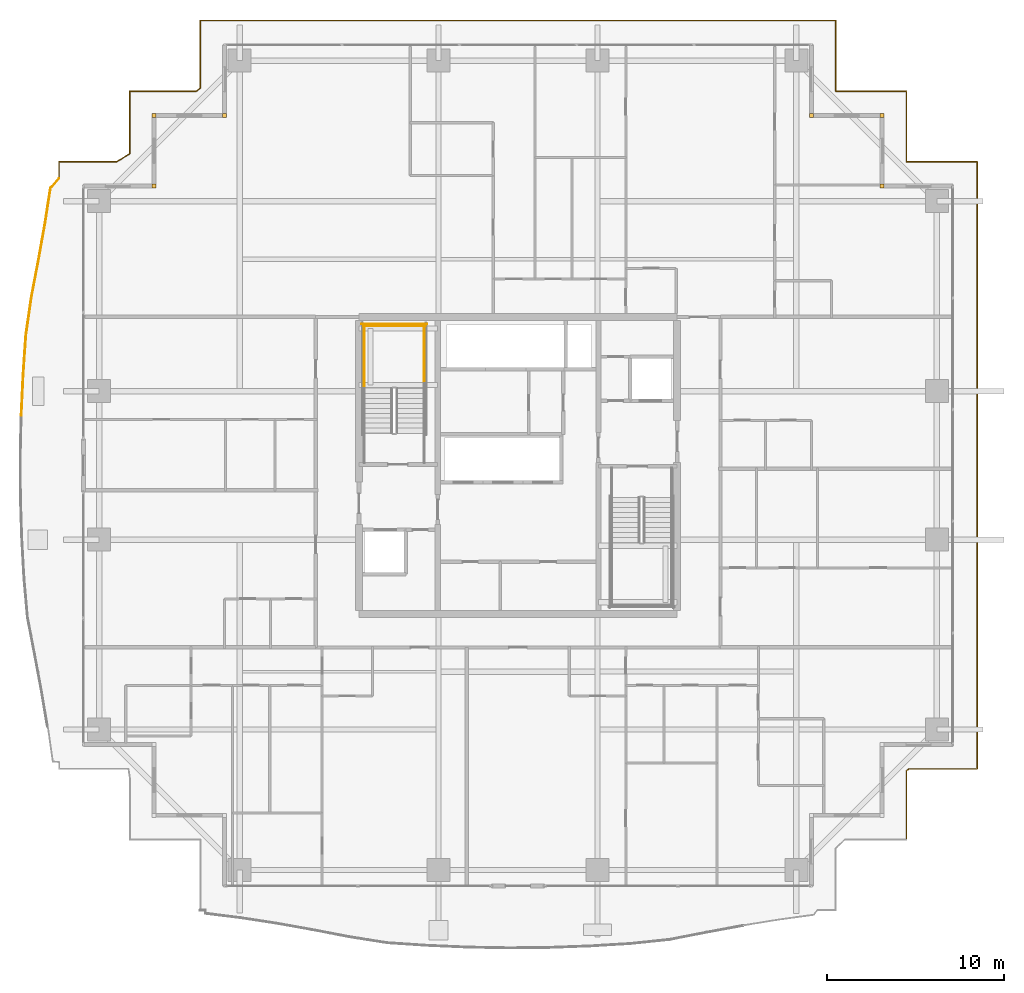
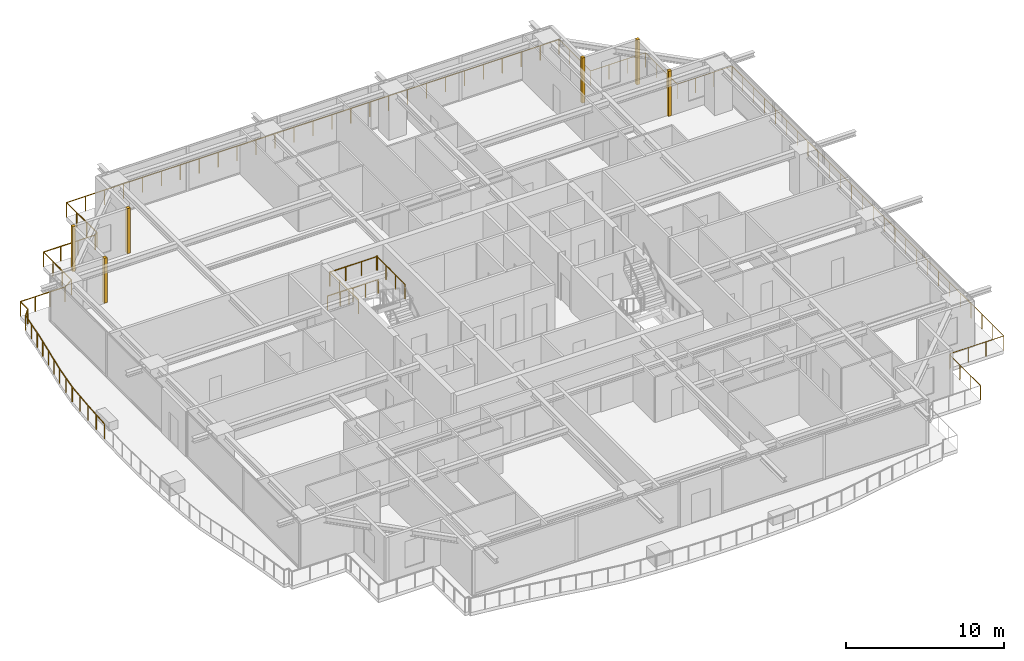
# One storey, part 34 of 34: 7 railings, 6 coverings.
"""IFC4 building model written with IfcOpenShell, lengths in metres."""

from ifc_helpers import new_model, si_unit, direction, frame, origin, origin_2d, place, context, subcontext, project, spatial, rectangle, circle, extrude, source, transform, mapped, material, layer, layer_set, type_object, element, save


model = new_model("IFC4")

# Units and contexts
model_context = context("Model", 3, precision=1e-05, world=origin(), true_north=direction((0.0, 1.0)))
body_context = subcontext(model_context, "Body", "Model", "MODEL_VIEW")
ifc_project = project(units=[si_unit("LENGTHUNIT", "METRE"), si_unit("AREAUNIT", "SQUARE_METRE"), si_unit("VOLUMEUNIT", "CUBIC_METRE"), si_unit("PLANEANGLEUNIT", "RADIAN"), si_unit("MASSUNIT", "GRAM", prefix="KILO")], contexts=[model_context])

# Site, building, storey
site_placement = place(None, origin())
site = spatial("IfcSite", under=ifc_project, at=site_placement, CompositionType="ELEMENT")
building_placement = place(site_placement, origin())
building = spatial("IfcBuilding", under=site, at=building_placement, Name="Serunith Strait Residences", CompositionType="ELEMENT")
storey_placement = place(building_placement, frame((0.0, 0.0, 142.64990234375)))
storey = spatial("IfcBuildingStorey", under=building, at=storey_placement, Name="L35", CompositionType="ELEMENT", Elevation=142.64990234375)

# Railings
ifc_material_1 = material(Name="Stainless Steel & Laminated Glass Balustrade", Category="steel")
railing_type_1 = type_object("IfcRailingType", Name="RLG-BALC-1150", PredefinedType="BALUSTRADE", material=ifc_material_1)
railing_1_placement = place(storey_placement, frame((4.2919921875, 28.03759765625, -0.0498046875)))
element("IfcRailing", 1, at=railing_1_placement, inside=storey, type_object=railing_type_1, Name="L35 Swirling Balcony Perimeter Balustrade 3", PredefinedType="BALUSTRADE", context=body_context, shape_type="SweptSolid", body=[
    extrude(circle(Radius=0.02392578125, at=origin_2d()), frame((0.0, 0.001953125, 1.1259765625), z_axis=(0.046865195781, 0.998901223057, 0.0), x_axis=(-0.998901223057, 0.046865195781, 0.0)), (0.0, 0.0, 1.0), 2.282958984375),
    extrude(circle(Radius=0.02392578125, at=origin_2d()), frame((0.107421875, 2.286376953125, 1.1259765625), z_axis=(0.068053212053, 0.997681692891, 0.0), x_axis=(-0.997681692891, 0.068053212053, 0.0)), (0.0, 0.0, 1.0), 2.256103515625),
    extrude(circle(Radius=0.02392578125, at=origin_2d()), frame((0.26123046875, 4.541259765625, 1.1259765625), z_axis=(0.143397514543, 0.989665172077, 0.0), x_axis=(-0.989665172077, 0.143397514543, 0.0)), (0.0, 0.0, 1.0), 2.1923828125),
    extrude(circle(Radius=0.02392578125, at=origin_2d()), frame((0.576416015625, 6.71484375, 1.1259765625), z_axis=(0.188438007148, 0.982085086671, 0.0), x_axis=(-0.982085086671, 0.188438007148, 0.0)), (0.0, 0.0, 1.0), 2.119384765625),
    extrude(circle(Radius=0.02392578125, at=origin_2d()), frame((0.976318359375, 8.80029296875, 1.1259765625), z_axis=(0.17582328952, 0.984421744408, 0.0), x_axis=(-0.984421744408, 0.17582328952, 0.0)), (0.0, 0.0, 1.0), 2.06640625),
    extrude(circle(Radius=0.02392578125, at=origin_2d()), frame((1.34033203125, 10.83837890625, 1.1259765625), z_axis=(0.153428284031, 0.98815978549, 0.0), x_axis=(-0.98815978549, 0.153428284031, 0.0)), (0.0, 0.0, 1.0), 2.029541015625),
    extrude(circle(Radius=0.02392578125, at=origin_2d()), frame((1.6533203125, 12.847412109375, 1.1259765625), z_axis=(0.649610297374, 0.760267361883, 0.0), x_axis=(-0.760267361883, 0.649610297374, 0.0)), (0.0, 0.0, 1.0), 0.728515625),
    extrude(circle(Radius=0.02099609375, at=origin_2d()), origin(), (0.0, 0.0, 1.0), 1.099853515625),
    extrude(circle(Radius=0.02099609375, at=origin_2d()), frame((0.0537109375, 1.14208984375, 0.0)), (0.0, 0.0, 1.0), 1.099853515625),
    extrude(circle(Radius=0.02099609375, at=origin_2d()), frame((0.107177734375, 2.284423828125, 0.0)), (0.0, 0.0, 1.0), 1.099853515625),
    extrude(circle(Radius=0.02099609375, at=origin_2d()), frame((0.18408203125, 3.411865234375, 0.0)), (0.0, 0.0, 1.0), 1.099853515625),
    extrude(circle(Radius=0.02099609375, at=origin_2d()), frame((0.260986328125, 4.539306640625, 0.0)), (0.0, 0.0, 1.0), 1.099853515625),
    extrude(circle(Radius=0.02099609375, at=origin_2d()), frame((0.41845703125, 5.6259765625, 0.0)), (0.0, 0.0, 1.0), 1.099853515625),
    extrude(circle(Radius=0.02099609375, at=origin_2d()), frame((0.575927734375, 6.712890625, 0.0)), (0.0, 0.0, 1.0), 1.099853515625),
    extrude(circle(Radius=0.02099609375, at=origin_2d()), frame((0.77587890625, 7.755615234375, 0.0)), (0.0, 0.0, 1.0), 1.099853515625),
    extrude(circle(Radius=0.02099609375, at=origin_2d()), frame((0.97607421875, 8.79833984375, 0.0)), (0.0, 0.0, 1.0), 1.099853515625),
    extrude(circle(Radius=0.02099609375, at=origin_2d()), frame((1.158203125, 9.8173828125, 0.0)), (0.0, 0.0, 1.0), 1.099853515625),
    extrude(circle(Radius=0.02099609375, at=origin_2d()), frame((1.340087890625, 10.83642578125, 0.0)), (0.0, 0.0, 1.0), 1.099853515625),
    extrude(circle(Radius=0.02099609375, at=origin_2d()), frame((1.49609375, 11.84130859375, 0.0)), (0.0, 0.0, 1.0), 1.099853515625),
    extrude(circle(Radius=0.02099609375, at=origin_2d()), frame((1.652099609375, 12.845947265625, 0.0)), (0.0, 0.0, 1.0), 1.099853515625),
    extrude(circle(Radius=0.02099609375, at=origin_2d()), frame((2.1279296875, 13.40283203125, 0.0)), (0.0, 0.0, 1.0), 1.099853515625),
])
railing_2_placement = place(storey_placement, frame((6.419921875, 41.4404296875, -0.0498046875)))
element("IfcRailing", 2, at=railing_2_placement, inside=storey, type_object=railing_type_1, Name="L35 Swirling Balcony Perimeter Balustrade 4", PredefinedType="BALUSTRADE", context=body_context, shape_type="SweptSolid", body=[
    extrude(circle(Radius=0.02392578125, at=origin_2d()), frame((0.0, 0.001953125, 1.1259765625), z_axis=(0.0, 1.0, 0.0), x_axis=(-1.0, 0.0, 0.0)), (0.0, 0.0, 1.0), 0.935546875),
    extrude(circle(Radius=0.02392578125, at=origin_2d()), frame((0.001953125, 0.939453125, 1.1259765625), z_axis=(1.0, 0.0, 0.0), x_axis=(0.0, 1.0, 0.0)), (0.0, 0.0, 1.0), 3.2509765625),
    extrude(circle(Radius=0.02392578125, at=origin_2d()), frame((3.256591796875, 0.9404296875, 1.1259765625), z_axis=(0.858385025727, 0.513005991785, 0.0), x_axis=(-0.513005991785, 0.858385025727, 0.0)), (0.0, 0.0, 1.0), 0.864013671875),
    extrude(circle(Radius=0.02392578125, at=origin_2d()), frame((4.0, 1.38671875, 1.1259765625), z_axis=(0.0, 1.0, 0.0), x_axis=(-1.0, 0.0, 0.0)), (0.0, 0.0, 1.0), 3.55078125),
    extrude(circle(Radius=0.02392578125, at=origin_2d()), frame((4.001953125, 4.939453125, 1.1259765625), z_axis=(1.0, 0.0, 0.0), x_axis=(0.0, 1.0, 0.0)), (0.0, 0.0, 1.0), 3.7744140625),
    extrude(circle(Radius=0.02392578125, at=origin_2d()), frame((7.77978515625, 4.940673828125, 1.1259765625), z_axis=(0.777683480837, 0.628656029664, 0.0), x_axis=(-0.628656029664, 0.777683480837, 0.0)), (0.0, 0.0, 1.0), 0.281005859375),
    extrude(circle(Radius=0.02392578125, at=origin_2d()), frame((8.0, 5.12060546875, 1.1259765625), z_axis=(0.0, 1.0, 0.0), x_axis=(-1.0, 0.0, 0.0)), (0.0, 0.0, 1.0), 3.81689453125),
    extrude(circle(Radius=0.02392578125, at=origin_2d()), frame((8.001953125, 8.939453125, 1.1259765625), z_axis=(1.0, 0.0, 0.0), x_axis=(0.0, 1.0, 0.0)), (0.0, 0.0, 1.0), 35.9560546875),
    extrude(circle(Radius=0.02099609375, at=origin_2d()), origin(), (0.0, 0.0, 1.0), 1.099853515625),
    extrude(circle(Radius=0.02099609375, at=origin_2d()), frame((0.0, 0.939453125, 0.0)), (0.0, 0.0, 1.0), 1.099853515625),
    extrude(circle(Radius=0.02099609375, at=origin_2d()), frame((1.0849609375, 0.939453125, 0.0)), (0.0, 0.0, 1.0), 1.099853515625),
    extrude(circle(Radius=0.02099609375, at=origin_2d()), frame((2.169921875, 0.939453125, 0.0)), (0.0, 0.0, 1.0), 1.099853515625),
    extrude(circle(Radius=0.02099609375, at=origin_2d()), frame((3.2548828125, 0.939453125, 0.0)), (0.0, 0.0, 1.0), 1.099853515625),
    extrude(circle(Radius=0.02099609375, at=origin_2d()), frame((4.0, 1.384765625, 0.0)), (0.0, 0.0, 1.0), 1.099853515625),
    extrude(circle(Radius=0.02099609375, at=origin_2d()), frame((4.0, 2.569580078125, 0.0)), (0.0, 0.0, 1.0), 1.099853515625),
    extrude(circle(Radius=0.02099609375, at=origin_2d()), frame((4.0, 3.754638671875, 0.0)), (0.0, 0.0, 1.0), 1.099853515625),
    extrude(circle(Radius=0.02099609375, at=origin_2d()), frame((4.0, 4.939453125, 0.0)), (0.0, 0.0, 1.0), 1.099853515625),
    extrude(circle(Radius=0.02099609375, at=origin_2d()), frame((5.259521484375, 4.939453125, 0.0)), (0.0, 0.0, 1.0), 1.099853515625),
    extrude(circle(Radius=0.02099609375, at=origin_2d()), frame((6.518798828125, 4.939453125, 0.0)), (0.0, 0.0, 1.0), 1.099853515625),
    extrude(circle(Radius=0.02099609375, at=origin_2d()), frame((7.7783203125, 4.939453125, 0.0)), (0.0, 0.0, 1.0), 1.099853515625),
    extrude(circle(Radius=0.02099609375, at=origin_2d()), frame((8.0, 5.11865234375, 0.0)), (0.0, 0.0, 1.0), 1.099853515625),
    extrude(circle(Radius=0.02099609375, at=origin_2d()), frame((8.0, 6.392333984375, 0.0)), (0.0, 0.0, 1.0), 1.099853515625),
    extrude(circle(Radius=0.02099609375, at=origin_2d()), frame((8.0, 7.665771484375, 0.0)), (0.0, 0.0, 1.0), 1.099853515625),
    extrude(circle(Radius=0.02099609375, at=origin_2d()), frame((8.0, 8.939453125, 0.0)), (0.0, 0.0, 1.0), 1.099853515625),
    extrude(circle(Radius=0.02099609375, at=origin_2d()), frame((9.383056640625, 8.939453125, 0.0)), (0.0, 0.0, 1.0), 1.099853515625),
    extrude(circle(Radius=0.02099609375, at=origin_2d()), frame((10.76611328125, 8.939453125, 0.0)), (0.0, 0.0, 1.0), 1.099853515625),
    extrude(circle(Radius=0.02099609375, at=origin_2d()), frame((12.149169921875, 8.939453125, 0.0)), (0.0, 0.0, 1.0), 1.099853515625),
    extrude(circle(Radius=0.02099609375, at=origin_2d()), frame((13.5322265625, 8.939453125, 0.0)), (0.0, 0.0, 1.0), 1.099853515625),
    extrude(circle(Radius=0.02099609375, at=origin_2d()), frame((14.915283203125, 8.939453125, 0.0)), (0.0, 0.0, 1.0), 1.099853515625),
    extrude(circle(Radius=0.02099609375, at=origin_2d()), frame((16.29833984375, 8.939453125, 0.0)), (0.0, 0.0, 1.0), 1.099853515625),
    extrude(circle(Radius=0.02099609375, at=origin_2d()), frame((17.681640625, 8.939453125, 0.0)), (0.0, 0.0, 1.0), 1.099853515625),
    extrude(circle(Radius=0.02099609375, at=origin_2d()), frame((19.064697265625, 8.939453125, 0.0)), (0.0, 0.0, 1.0), 1.099853515625),
    extrude(circle(Radius=0.02099609375, at=origin_2d()), frame((20.44775390625, 8.939453125, 0.0)), (0.0, 0.0, 1.0), 1.099853515625),
    extrude(circle(Radius=0.02099609375, at=origin_2d()), frame((21.830810546875, 8.939453125, 0.0)), (0.0, 0.0, 1.0), 1.099853515625),
    extrude(circle(Radius=0.02099609375, at=origin_2d()), frame((23.2138671875, 8.939453125, 0.0)), (0.0, 0.0, 1.0), 1.099853515625),
    extrude(circle(Radius=0.02099609375, at=origin_2d()), frame((24.596923828125, 8.939453125, 0.0)), (0.0, 0.0, 1.0), 1.099853515625),
    extrude(circle(Radius=0.02099609375, at=origin_2d()), frame((25.97998046875, 8.939453125, 0.0)), (0.0, 0.0, 1.0), 1.099853515625),
    extrude(circle(Radius=0.02099609375, at=origin_2d()), frame((27.363037109375, 8.939453125, 0.0)), (0.0, 0.0, 1.0), 1.099853515625),
    extrude(circle(Radius=0.02099609375, at=origin_2d()), frame((28.74609375, 8.939453125, 0.0)), (0.0, 0.0, 1.0), 1.099853515625),
    extrude(circle(Radius=0.02099609375, at=origin_2d()), frame((30.129150390625, 8.939453125, 0.0)), (0.0, 0.0, 1.0), 1.099853515625),
    extrude(circle(Radius=0.02099609375, at=origin_2d()), frame((31.51220703125, 8.939453125, 0.0)), (0.0, 0.0, 1.0), 1.099853515625),
    extrude(circle(Radius=0.02099609375, at=origin_2d()), frame((32.895263671875, 8.939453125, 0.0)), (0.0, 0.0, 1.0), 1.099853515625),
    extrude(circle(Radius=0.02099609375, at=origin_2d()), frame((34.2783203125, 8.939453125, 0.0)), (0.0, 0.0, 1.0), 1.099853515625),
    extrude(circle(Radius=0.02099609375, at=origin_2d()), frame((35.66162109375, 8.939453125, 0.0)), (0.0, 0.0, 1.0), 1.099853515625),
    extrude(circle(Radius=0.02099609375, at=origin_2d()), frame((37.044677734375, 8.939453125, 0.0)), (0.0, 0.0, 1.0), 1.099853515625),
    extrude(circle(Radius=0.02099609375, at=origin_2d()), frame((38.427734375, 8.939453125, 0.0)), (0.0, 0.0, 1.0), 1.099853515625),
    extrude(circle(Radius=0.02099609375, at=origin_2d()), frame((39.810791015625, 8.939453125, 0.0)), (0.0, 0.0, 1.0), 1.099853515625),
    extrude(circle(Radius=0.02099609375, at=origin_2d()), frame((41.19384765625, 8.939453125, 0.0)), (0.0, 0.0, 1.0), 1.099853515625),
    extrude(circle(Radius=0.02099609375, at=origin_2d()), frame((42.576904296875, 8.939453125, 0.0)), (0.0, 0.0, 1.0), 1.099853515625),
    extrude(circle(Radius=0.02099609375, at=origin_2d()), frame((43.9599609375, 8.939453125, 0.0)), (0.0, 0.0, 1.0), 1.099853515625),
])
railing_3_placement = place(storey_placement, frame((50.3798828125, 50.3798828125, -0.0498046875)))
element("IfcRailing", 3, at=railing_3_placement, inside=storey, type_object=railing_type_1, Name="L35 Swirling Balcony Perimeter Balustrade 5", PredefinedType="BALUSTRADE", context=body_context, shape_type="SweptSolid", body=[
    extrude(circle(Radius=0.02392578125, at=origin_2d()), frame((0.0, -0.001953125, 1.1259765625), z_axis=(0.0, -1.0, 0.0), x_axis=(1.0, 0.0, 0.0)), (0.0, 0.0, 1.0), 3.99609375),
    extrude(circle(Radius=0.02392578125, at=origin_2d()), frame((0.001953125, -4.0, 1.1259765625), z_axis=(1.0, 0.0, 0.0), x_axis=(0.0, 1.0, 0.0)), (0.0, 0.0, 1.0), 3.99609375),
    extrude(circle(Radius=0.02392578125, at=origin_2d()), frame((4.0, -4.001953125, 1.1259765625), z_axis=(0.0, -1.0, 0.0), x_axis=(1.0, 0.0, 0.0)), (0.0, 0.0, 1.0), 3.99609375),
    extrude(circle(Radius=0.02392578125, at=origin_2d()), frame((4.001953125, -8.0, 1.1259765625), z_axis=(1.0, 0.0, 0.0), x_axis=(0.0, 1.0, 0.0)), (0.0, 0.0, 1.0), 3.99609375),
    extrude(circle(Radius=0.02392578125, at=origin_2d()), frame((8.0, -8.001953125, 1.1259765625), z_axis=(0.0, -1.0, 0.0), x_axis=(1.0, 0.0, 0.0)), (0.0, 0.0, 1.0), 34.35595703125),
    extrude(circle(Radius=0.02392578125, at=origin_2d()), frame((7.998046875, -42.35986328125, 1.1259765625), z_axis=(-1.0, 0.0, 0.0), x_axis=(0.0, -1.0, 0.0)), (0.0, 0.0, 1.0), 3.86083984375),
    extrude(circle(Radius=0.02392578125, at=origin_2d()), frame((4.133544921875, -42.361083984375, 1.1259765625), z_axis=(-0.809367380782, -0.587302684249, 0.0), x_axis=(0.587302684249, -0.809367380782, 0.0)), (0.0, 0.0, 1.0), 0.1630859375),
    extrude(circle(Radius=0.02392578125, at=origin_2d()), frame((4.0, -42.4599609375, 1.1259765625), z_axis=(0.0, -1.0, 0.0), x_axis=(1.0, 0.0, 0.0)), (0.0, 0.0, 1.0), 3.89794921875),
    extrude(circle(Radius=0.02099609375, at=origin_2d()), origin(), (0.0, 0.0, 1.0), 1.099853515625),
    extrude(circle(Radius=0.02099609375, at=origin_2d()), frame((0.0, -1.333251953125, 0.0)), (0.0, 0.0, 1.0), 1.099853515625),
    extrude(circle(Radius=0.02099609375, at=origin_2d()), frame((0.0, -2.666748046875, 0.0)), (0.0, 0.0, 1.0), 1.099853515625),
    extrude(circle(Radius=0.02099609375, at=origin_2d()), frame((0.0, -4.0, 0.0)), (0.0, 0.0, 1.0), 1.099853515625),
    extrude(circle(Radius=0.02099609375, at=origin_2d()), frame((1.333251953125, -4.0, 0.0)), (0.0, 0.0, 1.0), 1.099853515625),
    extrude(circle(Radius=0.02099609375, at=origin_2d()), frame((2.666748046875, -4.0, 0.0)), (0.0, 0.0, 1.0), 1.099853515625),
    extrude(circle(Radius=0.02099609375, at=origin_2d()), frame((4.0, -4.0, 0.0)), (0.0, 0.0, 1.0), 1.099853515625),
    extrude(circle(Radius=0.02099609375, at=origin_2d()), frame((4.0, -5.333251953125, 0.0)), (0.0, 0.0, 1.0), 1.099853515625),
    extrude(circle(Radius=0.02099609375, at=origin_2d()), frame((4.0, -6.666748046875, 0.0)), (0.0, 0.0, 1.0), 1.099853515625),
    extrude(circle(Radius=0.02099609375, at=origin_2d()), frame((4.0, -8.0, 0.0)), (0.0, 0.0, 1.0), 1.099853515625),
    extrude(circle(Radius=0.02099609375, at=origin_2d()), frame((5.333251953125, -8.0, 0.0)), (0.0, 0.0, 1.0), 1.099853515625),
    extrude(circle(Radius=0.02099609375, at=origin_2d()), frame((6.666748046875, -8.0, 0.0)), (0.0, 0.0, 1.0), 1.099853515625),
    extrude(circle(Radius=0.02099609375, at=origin_2d()), frame((8.0, -8.0, 0.0)), (0.0, 0.0, 1.0), 1.099853515625),
    extrude(circle(Radius=0.02099609375, at=origin_2d()), frame((8.0, -9.37451171875, 0.0)), (0.0, 0.0, 1.0), 1.099853515625),
    extrude(circle(Radius=0.02099609375, at=origin_2d()), frame((8.0, -10.748779296875, 0.0)), (0.0, 0.0, 1.0), 1.099853515625),
    extrude(circle(Radius=0.02099609375, at=origin_2d()), frame((8.0, -12.123291015625, 0.0)), (0.0, 0.0, 1.0), 1.099853515625),
    extrude(circle(Radius=0.02099609375, at=origin_2d()), frame((8.0, -13.49755859375, 0.0)), (0.0, 0.0, 1.0), 1.099853515625),
    extrude(circle(Radius=0.02099609375, at=origin_2d()), frame((8.0, -14.8720703125, 0.0)), (0.0, 0.0, 1.0), 1.099853515625),
    extrude(circle(Radius=0.02099609375, at=origin_2d()), frame((8.0, -16.246337890625, 0.0)), (0.0, 0.0, 1.0), 1.099853515625),
    extrude(circle(Radius=0.02099609375, at=origin_2d()), frame((8.0, -17.620849609375, 0.0)), (0.0, 0.0, 1.0), 1.099853515625),
    extrude(circle(Radius=0.02099609375, at=origin_2d()), frame((8.0, -18.9951171875, 0.0)), (0.0, 0.0, 1.0), 1.099853515625),
    extrude(circle(Radius=0.02099609375, at=origin_2d()), frame((8.0, -20.36962890625, 0.0)), (0.0, 0.0, 1.0), 1.099853515625),
    extrude(circle(Radius=0.02099609375, at=origin_2d()), frame((8.0, -21.743896484375, 0.0)), (0.0, 0.0, 1.0), 1.099853515625),
    extrude(circle(Radius=0.02099609375, at=origin_2d()), frame((8.0, -23.118408203125, 0.0)), (0.0, 0.0, 1.0), 1.099853515625),
    extrude(circle(Radius=0.02099609375, at=origin_2d()), frame((8.0, -24.49267578125, 0.0)), (0.0, 0.0, 1.0), 1.099853515625),
    extrude(circle(Radius=0.02099609375, at=origin_2d()), frame((8.0, -25.8671875, 0.0)), (0.0, 0.0, 1.0), 1.099853515625),
    extrude(circle(Radius=0.02099609375, at=origin_2d()), frame((8.0, -27.241455078125, 0.0)), (0.0, 0.0, 1.0), 1.099853515625),
    extrude(circle(Radius=0.02099609375, at=origin_2d()), frame((8.0, -28.615966796875, 0.0)), (0.0, 0.0, 1.0), 1.099853515625),
    extrude(circle(Radius=0.02099609375, at=origin_2d()), frame((8.0, -29.990234375, 0.0)), (0.0, 0.0, 1.0), 1.099853515625),
    extrude(circle(Radius=0.02099609375, at=origin_2d()), frame((8.0, -31.36474609375, 0.0)), (0.0, 0.0, 1.0), 1.099853515625),
    extrude(circle(Radius=0.02099609375, at=origin_2d()), frame((8.0, -32.739013671875, 0.0)), (0.0, 0.0, 1.0), 1.099853515625),
    extrude(circle(Radius=0.02099609375, at=origin_2d()), frame((8.0, -34.113525390625, 0.0)), (0.0, 0.0, 1.0), 1.099853515625),
    extrude(circle(Radius=0.02099609375, at=origin_2d()), frame((8.0, -35.48779296875, 0.0)), (0.0, 0.0, 1.0), 1.099853515625),
    extrude(circle(Radius=0.02099609375, at=origin_2d()), frame((8.0, -36.8623046875, 0.0)), (0.0, 0.0, 1.0), 1.099853515625),
    extrude(circle(Radius=0.02099609375, at=origin_2d()), frame((8.0, -38.236572265625, 0.0)), (0.0, 0.0, 1.0), 1.099853515625),
    extrude(circle(Radius=0.02099609375, at=origin_2d()), frame((8.0, -39.611083984375, 0.0)), (0.0, 0.0, 1.0), 1.099853515625),
    extrude(circle(Radius=0.02099609375, at=origin_2d()), frame((8.0, -40.9853515625, 0.0)), (0.0, 0.0, 1.0), 1.099853515625),
    extrude(circle(Radius=0.02099609375, at=origin_2d()), frame((8.0, -42.35986328125, 0.0)), (0.0, 0.0, 1.0), 1.099853515625),
    extrude(circle(Radius=0.02099609375, at=origin_2d()), frame((6.711669921875, -42.35986328125, 0.0)), (0.0, 0.0, 1.0), 1.099853515625),
    extrude(circle(Radius=0.02099609375, at=origin_2d()), frame((5.423583984375, -42.35986328125, 0.0)), (0.0, 0.0, 1.0), 1.099853515625),
    extrude(circle(Radius=0.02099609375, at=origin_2d()), frame((4.13525390625, -42.35986328125, 0.0)), (0.0, 0.0, 1.0), 1.099853515625),
    extrude(circle(Radius=0.02099609375, at=origin_2d()), frame((4.0, -42.4580078125, 0.0)), (0.0, 0.0, 1.0), 1.099853515625),
    extrude(circle(Radius=0.02099609375, at=origin_2d()), frame((4.0, -43.758544921875, 0.0)), (0.0, 0.0, 1.0), 1.099853515625),
    extrude(circle(Radius=0.02099609375, at=origin_2d()), frame((4.0, -45.059326171875, 0.0)), (0.0, 0.0, 1.0), 1.099853515625),
    extrude(circle(Radius=0.02099609375, at=origin_2d()), frame((4.0, -46.35986328125, 0.0)), (0.0, 0.0, 1.0), 1.099853515625),
])
ifc_material_2 = material(Name="Brushed stainless steel 316L", Category="steel")
railing_type_2 = type_object("IfcRailingType", Name="RLG-STAIR-GUARD", PredefinedType="BALUSTRADE", material=ifc_material_2)
for number, where, name in (
    (4, (27.10009765625, 29.550048828125, 1.875), "L35 ST-1 stair guard 3"),
    (5, (23.699951171875, 29.550048828125, 1.875), "L35 ST-1 stair guard 4"),
):
    element("IfcRailing", number, at=place(storey_placement, frame(where)), inside=storey, type_object=railing_type_2, Name=name, PredefinedType="BALUSTRADE", context=body_context, shape_type="SweptSolid", body=[
        extrude(circle(Radius=0.02392578125, at=origin_2d()), frame((0.0, 0.001953125, 1.076171875), z_axis=(0.0, 1.0, 0.0), x_axis=(-1.0, 0.0, 0.0)), (0.0, 0.0, 1.0), 3.595947265625),
        extrude(circle(Radius=0.02099609375, at=origin_2d()), origin(), (0.0, 0.0, 1.0), 1.050048828125),
        extrude(circle(Radius=0.02099609375, at=origin_2d()), frame((0.0, 1.199951171875, 0.0)), (0.0, 0.0, 1.0), 1.050048828125),
        extrude(circle(Radius=0.02099609375, at=origin_2d()), frame((0.0, 2.39990234375, 0.0)), (0.0, 0.0, 1.0), 1.050048828125),
        extrude(circle(Radius=0.02099609375, at=origin_2d()), frame((0.0, 3.599853515625, 0.0)), (0.0, 0.0, 1.0), 1.050048828125),
    ])
railing_4_placement = place(storey_placement, frame((27.14990234375, 33.10009765625, 1.875)))
element("IfcRailing", 6, at=railing_4_placement, inside=storey, type_object=railing_type_2, Name="L35 ST-1 stair guard 5", PredefinedType="BALUSTRADE", context=body_context, shape_type="SweptSolid", body=[
    extrude(circle(Radius=0.02392578125, at=origin_2d()), frame((-0.001953125, 0.0, 1.076171875), z_axis=(-1.0, 0.0, 0.0), x_axis=(0.0, -1.0, 0.0)), (0.0, 0.0, 1.0), 3.49609375),
    extrude(circle(Radius=0.02099609375, at=origin_2d()), origin(), (0.0, 0.0, 1.0), 1.050048828125),
    extrude(circle(Radius=0.02099609375, at=origin_2d()), frame((-1.166748046875, 0.0, 0.0)), (0.0, 0.0, 1.0), 1.050048828125),
    extrude(circle(Radius=0.02099609375, at=origin_2d()), frame((-2.333251953125, 0.0, 0.0)), (0.0, 0.0, 1.0), 1.050048828125),
    extrude(circle(Radius=0.02099609375, at=origin_2d()), frame((-3.5, 0.0, 0.0)), (0.0, 0.0, 1.0), 1.050048828125),
])
railing_5_placement = place(storey_placement, frame((27.25, 33.199951171875, 0.0)))
element("IfcRailing", 7, at=railing_5_placement, inside=storey, type_object=railing_type_2, Name="L35 ST-1 stair guard 12", PredefinedType="BALUSTRADE", context=body_context, shape_type="SweptSolid", body=[
    extrude(circle(Radius=0.02392578125, at=origin_2d()), frame((-0.001953125, 0.0, 1.076171875), z_axis=(-1.0, 0.0, 0.0), x_axis=(0.0, -1.0, 0.0)), (0.0, 0.0, 1.0), 3.696044921875),
    extrude(circle(Radius=0.02099609375, at=origin_2d()), origin(), (0.0, 0.0, 1.0), 1.050048828125),
    extrude(circle(Radius=0.02099609375, at=origin_2d()), frame((-0.925048828125, 0.0, 0.0)), (0.0, 0.0, 1.0), 1.050048828125),
    extrude(circle(Radius=0.02099609375, at=origin_2d()), frame((-1.85009765625, 0.0, 0.0)), (0.0, 0.0, 1.0), 1.050048828125),
    extrude(circle(Radius=0.02099609375, at=origin_2d()), frame((-2.77490234375, 0.0, 0.0)), (0.0, 0.0, 1.0), 1.050048828125),
    extrude(circle(Radius=0.02099609375, at=origin_2d()), frame((-3.699951171875, 0.0, 0.0)), (0.0, 0.0, 1.0), 1.050048828125),
])

# Coverings
ifc_material_3 = material(Name="Pale-Champagne Anodised Aluminium", Category="aluminium")
ifc_layer = layer(ifc_material_3, 0.219970703125, Name="Pale-Champagne Anodised Aluminium")
ifc_layer_set = layer_set([ifc_layer], Name="Pale-Champagne Anodised Aluminium")
covering_type = type_object("IfcCoveringType", Name="COV-CORN-TRIM", PredefinedType="CLADDING", material=ifc_layer_set)
shared_shape = source(origin(), body_context, "Body", "SweptSolid", [
    extrude(rectangle(XDim=0.221923828125, YDim=0.221923828125, at=origin_2d()), origin(), (0.0, 0.0, 1.0), 3.47509765625),
])
for number, where, z_axis, x_axis, name in (
    (8, (53.0, 41.0, 0.0), (0.0, 0.0, 1.0), (1.0, 0.0, 0.0), "L35 Girih Serrated Corner Trim Post 07"),
    (9, (53.0, 45.0, 0.0), (0.0, 0.0, 1.0), (1.0, 0.0, 0.0), "L35 Girih Serrated Corner Trim Post 08"),
    (10, (49.0, 45.0, 0.0), (0.0, 0.0, 1.0), (1.0, 0.0, 0.0), "L35 Girih Serrated Corner Trim Post 09"),
    (11, (15.800048828125, 45.0, 0.0), (0.0, 0.0, 1.0), (1.0, 0.0, 0.0), "L35 Girih Serrated Corner Trim Post 12"),
    (12, (11.800048828125, 45.0, 0.0), (0.0, 0.0, 1.0), (1.0, 0.0, 0.0), "L35 Girih Serrated Corner Trim Post 13"),
    (13, (11.800048828125, 41.0, 0.0), (0.0, 0.0, 1.0), (1.0, 0.0, 0.0), "L35 Girih Serrated Corner Trim Post 14"),
):
    element("IfcCovering", number, at=place(storey_placement, frame(where, z_axis=z_axis, x_axis=x_axis)), inside=storey, type_object=covering_type, Name=name, PredefinedType="CLADDING", context=body_context, shape_type="MappedRepresentation", body=[
        mapped(shared_shape, transform((0.0, 0.0, 0.0), scale=1.0)),
    ])

save(model, "model.ifc")
